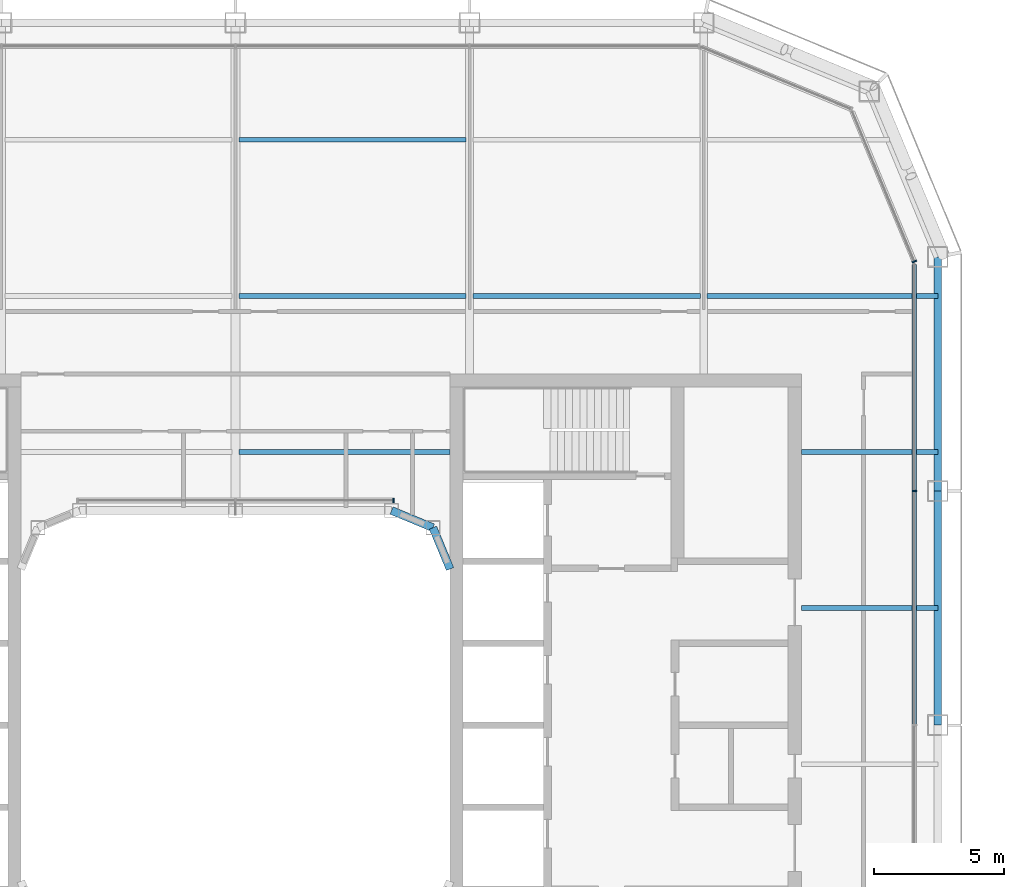
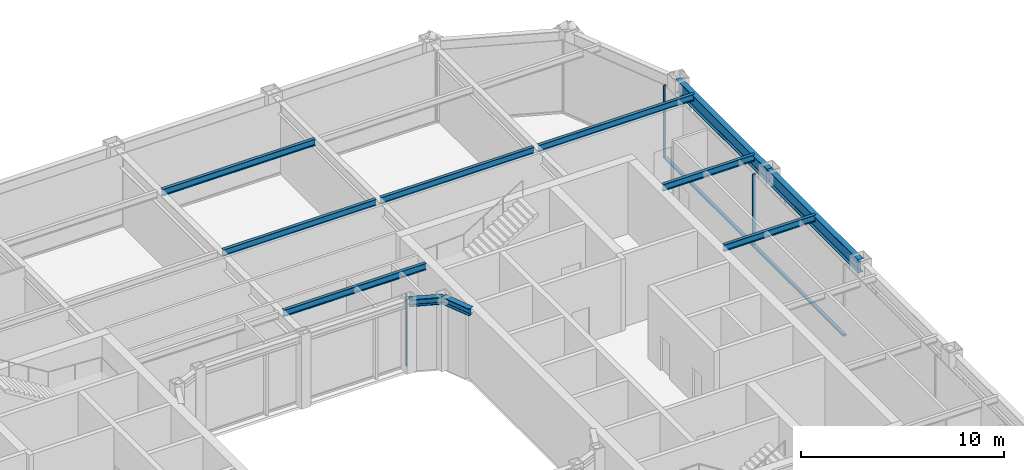
# One storey, part 9 of 22: 11 beams, 5 members, 3 elements without a shape of their own.
"""IFC4 building model written with IfcOpenShell, lengths in metres."""

from ifc_helpers import new_model, si_unit, direction, frame, origin, origin_2d, place, context, subcontext, project, spatial, rectangle, i_section, extrude, material, layer, layer_set, material_profile, profile_set, type_object, element, aggregate, save


model = new_model("IFC4")

# Units and contexts
model_context = context("Model", 3, precision=1e-05, world=origin(), true_north=direction((0.0, 1.0)))
body_context = subcontext(model_context, "Body", "Model", "MODEL_VIEW")
ifc_project = project(units=[si_unit("LENGTHUNIT", "METRE"), si_unit("AREAUNIT", "SQUARE_METRE"), si_unit("VOLUMEUNIT", "CUBIC_METRE"), si_unit("PLANEANGLEUNIT", "RADIAN"), si_unit("MASSUNIT", "GRAM", prefix="KILO")], contexts=[model_context])

# Site, building, storey
site_placement = place(None, origin())
site = spatial("IfcSite", under=ifc_project, at=site_placement, CompositionType="ELEMENT")
building_placement = place(site_placement, origin())
building = spatial("IfcBuilding", under=site, at=building_placement, Name="Siwar Civic Tower", CompositionType="ELEMENT")
storey_placement = place(building_placement, frame((0.0, 0.0, 255.699951171875)))
storey = spatial("IfcBuildingStorey", under=building, at=storey_placement, Name="L55", CompositionType="ELEMENT", Elevation=255.699951171875)

# Curtain wall, member
ifc_material_1 = material(Name="Aluminium and glass", Category="aluminium")
ifc_layer_1 = layer(ifc_material_1, 0.179931640625)
ifc_layer_set_1 = layer_set([ifc_layer_1], Name="Aluminium and glass")
curtain_wall_type_1 = type_object("IfcCurtainWallType", Name="ENV-CW-C", PredefinedType="NOTDEFINED", material=ifc_layer_set_1)
curtain_wall_1_placement = place(storey_placement, origin())
curtain_wall_1 = element("IfcCurtainWall", 1, at=curtain_wall_1_placement, inside=storey, type_object=curtain_wall_type_1, Name="Curtain wall C E", PredefinedType="NOTDEFINED")
ifc_material_2 = material(Name="Aluminium 6063-T6", Category="aluminium")
ifc_material_profile_1 = material_profile(ifc_material_2, rectangle(XDim=0.179931640625, YDim=0.06005859375, at=origin_2d()), Name="AL 180x60")
ifc_profile_set_1 = profile_set([ifc_material_profile_1], Name="Aluminium 6063-T6")
member_type_1 = type_object("IfcMemberType", Name="ENV-MULLION-C", PredefinedType="MULLION", material=ifc_profile_set_1)
member_1_placement = place(storey_placement, frame((26.10009765625, 9.0, 0.0), z_axis=(0.0, 0.0, 1.0), x_axis=(-1.0, 0.0, 0.0)))
member_1 = element("IfcMember", 2, at=member_1_placement, type_object=member_type_1, Name="Mullion C E 4", PredefinedType="MULLION", context=body_context, shape_type="SweptSolid", body=[
    extrude(rectangle(XDim=0.179931640625, YDim=0.06005859375, at=origin_2d()), origin(), (0.0, 0.0, 1.0), 4.35009765625),
])

ifc_material_3 = material(Name="Aluminium clad insulated panel", Category="aluminium")
ifc_layer_2 = layer(ifc_material_3, 0.179931640625)
ifc_layer_set_2 = layer_set([ifc_layer_2], Name="Aluminium clad insulated panel")
curtain_wall_type_2 = type_object("IfcCurtainWallType", Name="ENV-CW-CX", PredefinedType="NOTDEFINED", material=ifc_layer_set_2)
curtain_wall_2_placement = place(storey_placement, origin())
curtain_wall_2 = element("IfcCurtainWall", 3, at=curtain_wall_2_placement, inside=storey, type_object=curtain_wall_type_2, Name="Curtain wall C NE1", PredefinedType="NOTDEFINED")
member_2_placement = place(storey_placement, frame((26.10009765625, 17.821044921875, 0.0), z_axis=(0.0, 0.0, 1.0), x_axis=(-0.923879532511, -0.382683432365, 0.0)))
member_2 = element("IfcMember", 4, at=member_2_placement, type_object=member_type_1, Name="Mullion C NE1 1", PredefinedType="MULLION", context=body_context, shape_type="SweptSolid", body=[
    extrude(rectangle(XDim=0.179931640625, YDim=0.06005859375, at=origin_2d()), origin(), (0.0, 0.0, 1.0), 4.35009765625),
])
aggregate(curtain_wall_2, [member_2])

ifc_material_4 = material(Name="Aluminium and glass", Category="aluminium")
ifc_layer_3 = layer(ifc_material_4, 0.179931640625)
ifc_layer_set_3 = layer_set([ifc_layer_3], Name="Aluminium and glass")
curtain_wall_type_3 = type_object("IfcCurtainWallType", Name="ENV-CW-W", PredefinedType="NOTDEFINED", material=ifc_layer_set_3)
curtain_wall_3_placement = place(storey_placement, origin())
curtain_wall_3 = element("IfcCurtainWall", 5, at=curtain_wall_3_placement, inside=storey, type_object=curtain_wall_type_3, Name="Curtain wall W WN", PredefinedType="NOTDEFINED")
ifc_material_5 = material(Name="Aluminium 6063-T6", Category="aluminium")
ifc_material_profile_2 = material_profile(ifc_material_5, rectangle(XDim=0.179931640625, YDim=0.06005859375, at=origin_2d()), Name="AL 180x60")
ifc_profile_set_2 = profile_set([ifc_material_profile_2], Name="Aluminium 6063-T6")
member_type_2 = type_object("IfcMemberType", Name="ENV-MULLION-W", PredefinedType="MULLION", material=ifc_profile_set_2)
member_3_placement = place(storey_placement, frame((6.07666015625, 8.635009765625, 0.0), z_axis=(0.0, 0.0, 1.0), x_axis=(0.0, -1.0, 0.0)))
member_3 = element("IfcMember", 6, at=member_3_placement, type_object=member_type_2, Name="Mullion W WN 1", PredefinedType="MULLION", context=body_context, shape_type="SweptSolid", body=[
    extrude(rectangle(XDim=0.179931640625, YDim=0.06005859375, at=origin_2d()), origin(), (0.0, 0.0, 1.0), 4.35009765625),
])
aggregate(curtain_wall_3, [member_3])

# Member
ifc_material_6 = material(Name="Aluminium 6063-T6", Category="aluminium")
ifc_material_profile_3 = material_profile(ifc_material_6, rectangle(XDim=0.179931640625, YDim=0.10009765625, at=origin_2d()), Name="AL 180x100")
ifc_profile_set_3 = profile_set([ifc_material_profile_3], Name="Aluminium 6063-T6")
member_type_3 = type_object("IfcMemberType", Name="ENV-TRANSOM-C", PredefinedType="USERDEFINED", material=ifc_profile_set_3)
member_4_placement = place(storey_placement, frame((26.10009765625, 0.030029296875, 0.050048828125), z_axis=(0.0, 1.0, 0.0), x_axis=(-1.0, 0.0, 0.0)))
member_4 = element("IfcMember", 7, at=member_4_placement, type_object=member_type_3, Name="Transom C E 3", ObjectType="TRANSOM", PredefinedType="USERDEFINED", context=body_context, shape_type="SweptSolid", body=[
    extrude(rectangle(XDim=0.179931640625, YDim=0.10009765625, at=origin_2d()), origin(), (0.0, 0.0, 1.0), 8.93994140625),
])

member_5_placement = place(storey_placement, frame((26.10009765625, 9.030029296875, 0.050048828125), z_axis=(0.0, 1.0, 0.0), x_axis=(-1.0, 0.0, 0.0)))
member_5 = element("IfcMember", 8, at=member_5_placement, type_object=member_type_3, Name="Transom C E 4", ObjectType="TRANSOM", PredefinedType="USERDEFINED", context=body_context, shape_type="SweptSolid", body=[
    extrude(rectangle(XDim=0.179931640625, YDim=0.10009765625, at=origin_2d()), origin(), (0.0, 0.0, 1.0), 8.68603515625),
])

aggregate(curtain_wall_1, [member_1, member_4, member_5])

# Beams
ifc_material_7 = material(Name="Steel S355", Category="steel")
ifc_material_profile_4 = material_profile(ifc_material_7, i_section(OverallWidth=0.179931640625, OverallDepth=0.39990234375, WebThickness=0.008544921875, FlangeThickness=0.013427734375, FilletRadius=0.02099609375, at=origin_2d()), Name="IPE400")
ifc_profile_set_4 = profile_set([ifc_material_profile_4], Name="Steel S355")
beam_type_1 = type_object("IfcBeamType", Name="STR-FB-IPE400", PredefinedType="JOIST", material=ifc_profile_set_4)
beam_1_placement = place(storey_placement, frame((21.75, 4.5, 4.150146484375), z_axis=(1.0, 0.0, 0.0), x_axis=(0.0, 1.0, 0.0)))
element("IfcBeam", 9, at=beam_1_placement, inside=storey, type_object=beam_type_1, Name="L55/bm/F026", PredefinedType="JOIST", context=body_context, shape_type="SweptSolid", body=[
    extrude(i_section(OverallWidth=0.179931640625, OverallDepth=0.39990234375, WebThickness=0.008544921875, FlangeThickness=0.013427734375, FilletRadius=0.02099609375, at=origin_2d()), origin(), (0.0, 0.0, 1.0), 5.25),
])
beam_2_placement = place(storey_placement, frame((0.1298828125, 10.5, 4.150146484375), z_axis=(1.0, 0.0, 0.0), x_axis=(0.0, 1.0, 0.0)))
element("IfcBeam", 10, at=beam_2_placement, inside=storey, type_object=beam_type_1, Name="L55/bm/F029", PredefinedType="JOIST", context=body_context, shape_type="SweptSolid", body=[
    extrude(i_section(OverallWidth=0.179931640625, OverallDepth=0.39990234375, WebThickness=0.008544921875, FlangeThickness=0.013427734375, FilletRadius=0.02099609375, at=origin_2d()), origin(), (0.0, 0.0, 1.0), 8.1201171875),
])
beam_3_placement = place(storey_placement, frame((21.75, 10.5, 4.150146484375), z_axis=(1.0, 0.0, 0.0), x_axis=(0.0, 1.0, 0.0)))
element("IfcBeam", 11, at=beam_3_placement, inside=storey, type_object=beam_type_1, Name="L55/bm/F030", PredefinedType="JOIST", context=body_context, shape_type="SweptSolid", body=[
    extrude(i_section(OverallWidth=0.179931640625, OverallDepth=0.39990234375, WebThickness=0.008544921875, FlangeThickness=0.013427734375, FilletRadius=0.02099609375, at=origin_2d()), origin(), (0.0, 0.0, 1.0), 5.25),
])
for number, where, z_axis, x_axis, name in (
    (12, (0.1298828125, 16.5, 4.150146484375), (1.0, 0.0, 0.0), (0.0, 1.0, 0.0), "L55/bm/F034"),
    (13, (9.1298828125, 16.5, 4.150146484375), (1.0, 0.0, 0.0), (0.0, 1.0, 0.0), "L55/bm/F035"),
):
    element("IfcBeam", number, at=place(storey_placement, frame(where, z_axis=z_axis, x_axis=x_axis)), inside=storey, type_object=beam_type_1, Name=name, PredefinedType="JOIST", context=body_context, shape_type="SweptSolid", body=[
        extrude(i_section(OverallWidth=0.179931640625, OverallDepth=0.39990234375, WebThickness=0.008544921875, FlangeThickness=0.013427734375, FilletRadius=0.02099609375, at=origin_2d()), origin(), (0.0, 0.0, 1.0), 8.740234375),
    ])
beam_4_placement = place(storey_placement, frame((18.1298828125, 16.5, 4.150146484375), z_axis=(1.0, 0.0, 0.0), x_axis=(0.0, 1.0, 0.0)))
element("IfcBeam", 14, at=beam_4_placement, inside=storey, type_object=beam_type_1, Name="L55/bm/F036", PredefinedType="JOIST", context=body_context, shape_type="SweptSolid", body=[
    extrude(i_section(OverallWidth=0.179931640625, OverallDepth=0.39990234375, WebThickness=0.008544921875, FlangeThickness=0.013427734375, FilletRadius=0.02099609375, at=origin_2d()), origin(), (0.0, 0.0, 1.0), 8.8701171875),
])
beam_5_placement = place(storey_placement, frame((0.1298828125, 22.5, 4.150146484375), z_axis=(1.0, 0.0, 0.0), x_axis=(0.0, 1.0, 0.0)))
element("IfcBeam", 15, at=beam_5_placement, inside=storey, type_object=beam_type_1, Name="L55/bm/F040", PredefinedType="JOIST", context=body_context, shape_type="SweptSolid", body=[
    extrude(i_section(OverallWidth=0.179931640625, OverallDepth=0.39990234375, WebThickness=0.008544921875, FlangeThickness=0.013427734375, FilletRadius=0.02099609375, at=origin_2d()), origin(), (0.0, 0.0, 1.0), 8.740234375),
])
ifc_material_8 = material(Name="Steel S355", Category="steel")
ifc_material_profile_5 = material_profile(ifc_material_8, i_section(OverallWidth=0.306884765625, OverallDepth=0.431884765625, WebThickness=0.02099609375, FlangeThickness=0.0400390625, FilletRadius=0.027099609375, at=origin_2d()), Name="HEM400")
ifc_profile_set_5 = profile_set([ifc_material_profile_5], Name="Steel S355")
beam_type_2 = type_object("IfcBeamType", Name="STR-RB-HEM400", PredefinedType="BEAM", material=ifc_profile_set_5)
for number, where, z_axis, x_axis, name in (
    (16, (6.0, 8.25, 4.134033203125), (0.923901072997, -0.382631424892, 0.0), (0.382631424892, 0.923901072997, 0.0), "L55/bm/RN3"),
    (17, (7.591064453125, 7.591064453125, 4.134033203125), (0.382631424892, -0.923901072997, 0.0), (0.923901072997, 0.382631424892, 0.0), "L55/bm/RNEE"),
):
    element("IfcBeam", number, at=place(storey_placement, frame(where, z_axis=z_axis, x_axis=x_axis)), inside=storey, type_object=beam_type_2, Name=name, PredefinedType="BEAM", context=body_context, shape_type="SweptSolid", body=[
        extrude(i_section(OverallWidth=0.306884765625, OverallDepth=0.431884765625, WebThickness=0.02099609375, FlangeThickness=0.0400390625, FilletRadius=0.027099609375, at=origin_2d()), origin(), (0.0, 0.0, 1.0), 1.72216796875),
    ])
ifc_material_9 = material(Name="Steel S355", Category="steel")
ifc_material_profile_6 = material_profile(ifc_material_9, i_section(OverallWidth=0.300048828125, OverallDepth=0.800048828125, WebThickness=0.017578125, FlangeThickness=0.032958984375, FilletRadius=0.030029296875, at=origin_2d()), Name="HEB800")
ifc_profile_set_6 = profile_set([ifc_material_profile_6], Name="Steel S355")
beam_type_3 = type_object("IfcBeamType", Name="STR-SB-HEB800", PredefinedType="BEAM", material=ifc_profile_set_6)
for number, where, z_axis, x_axis, name in (
    (18, (27.0, 0.0, 3.949951171875), (0.0, 1.0, 0.0), (-1.0, 0.0, 0.0), "L55/bm/SE-2"),
    (19, (27.0, 9.0, 3.949951171875), (0.0, 1.0, 0.0), (-1.0, 0.0, 0.0), "L55/bm/SE-3"),
):
    element("IfcBeam", number, at=place(storey_placement, frame(where, z_axis=z_axis, x_axis=x_axis)), inside=storey, type_object=beam_type_3, Name=name, PredefinedType="BEAM", context=body_context, shape_type="SweptSolid", body=[
        extrude(i_section(OverallWidth=0.300048828125, OverallDepth=0.800048828125, WebThickness=0.017578125, FlangeThickness=0.032958984375, FilletRadius=0.030029296875, at=origin_2d()), origin(), (0.0, 0.0, 1.0), 9.0),
    ])

save(model, "model.ifc")
